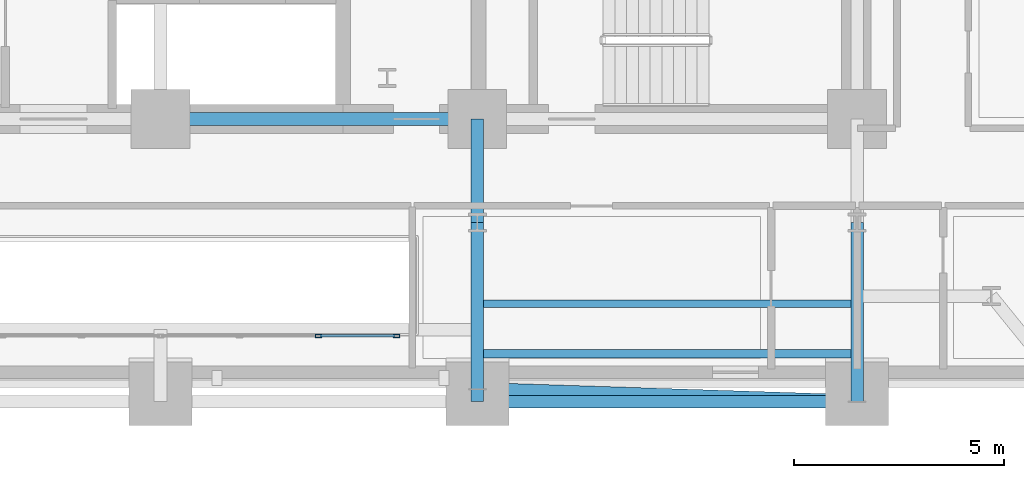
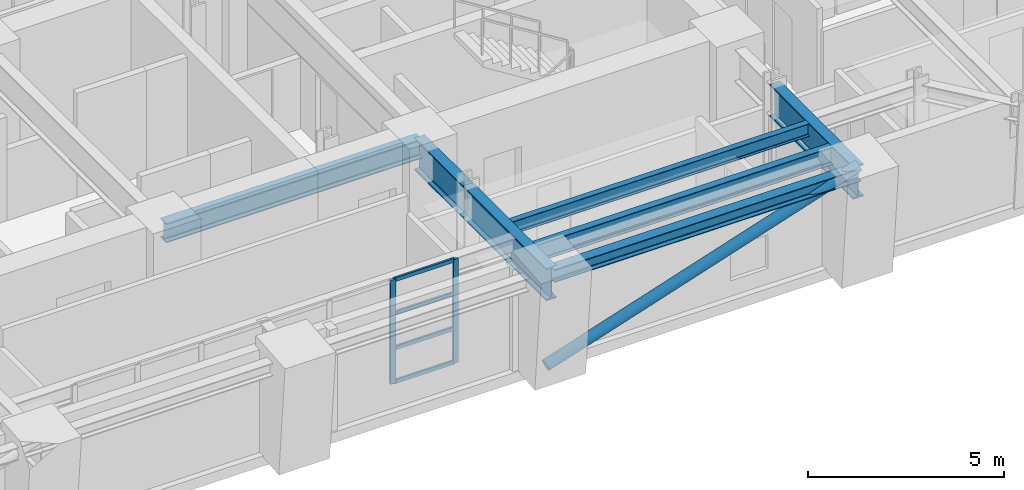
# One storey, part 5 of 16: 7 beams, 7 members, 1 element without a shape of its own.
"""IFC4 building model written with IfcOpenShell, lengths in metres."""

from ifc_helpers import new_model, si_unit, direction, frame, origin, origin_2d, place, context, subcontext, project, spatial, hollow_rectangle, hollow_circle, i_section, extrude, material, layer, layer_set, material_profile, profile_set, type_object, element, aggregate, save


model = new_model("IFC4")

# Units and contexts
model_context = context("Model", 3, precision=1e-05, world=origin(), true_north=direction((0.0, 1.0)))
body_context = subcontext(model_context, "Body", "Model", "MODEL_VIEW")
ifc_project = project(units=[si_unit("LENGTHUNIT", "METRE"), si_unit("AREAUNIT", "SQUARE_METRE"), si_unit("VOLUMEUNIT", "CUBIC_METRE"), si_unit("PLANEANGLEUNIT", "RADIAN"), si_unit("MASSUNIT", "GRAM", prefix="KILO")], contexts=[model_context])

# Site, building, storey
site_placement = place(None, origin())
site = spatial("IfcSite", under=ifc_project, at=site_placement, CompositionType="ELEMENT")
building_placement = place(site_placement, origin())
building = spatial("IfcBuilding", under=site, at=building_placement, Name="Zarnavel Station Tower", CompositionType="ELEMENT")
storey_placement = place(building_placement, frame((0.0, 0.0, 53.5)))
storey = spatial("IfcBuildingStorey", under=building, at=storey_placement, Name="L14", CompositionType="ELEMENT", Elevation=53.5)

# Curtain wall, members
ifc_material_1 = material(Name="Aluminium Dark Anodised and Solar-Control Glass", Category="aluminium")
ifc_layer = layer(ifc_material_1, 0.179931640625)
ifc_layer_set = layer_set([ifc_layer], Name="CWS2")
curtain_wall_type = type_object("IfcCurtainWallType", Name="CWS2", PredefinedType="NOTDEFINED", material=ifc_layer_set)
curtain_wall_placement = place(storey_placement, origin())
curtain_wall = element("IfcCurtainWall", 1, at=curtain_wall_placement, inside=storey, type_object=curtain_wall_type, Name="L14 Curtain Wall CWS2-L14-AS", PredefinedType="NOTDEFINED")
ifc_material_2 = material(Name="Steel S355J2 (Black Fluoropolymer Coated)", Category="steel")
ifc_material_profile_1 = material_profile(ifc_material_2, hollow_rectangle(XDim=0.074951171875, YDim=0.14990234375, WallThickness=0.00634765625, at=origin_2d()), Name="RHS150x75x6.3")
ifc_profile_set_1 = profile_set([ifc_material_profile_1], Name="Steel S355J2 (Black Fluoropolymer Coated)")
member_type_1 = type_object("IfcMemberType", Name="CWS2_MUL", PredefinedType="MULLION", material=ifc_profile_set_1)
member_1_placement = place(storey_placement, frame((32.566650390625, 22.64990234375, 0.0), z_axis=(0.0, 0.0, 1.0), x_axis=(0.0, 1.0, 0.0)))
member_1 = element("IfcMember", 2, at=member_1_placement, type_object=member_type_1, Name="CW2 mullion 6", PredefinedType="MULLION", context=body_context, shape_type="SweptSolid", body=[
    extrude(hollow_rectangle(XDim=0.074951171875, YDim=0.14990234375, WallThickness=0.00634765625, at=origin_2d()), origin(), (0.0, 0.0, 1.0), 3.239990234375),
])
member_2_placement = place(storey_placement, frame((34.419921875, 22.64990234375, 0.0), z_axis=(0.0, 0.0, 1.0), x_axis=(0.0, 1.0, 0.0)))
member_2 = element("IfcMember", 3, at=member_2_placement, type_object=member_type_1, Name="CW2 mullion 7", PredefinedType="MULLION", context=body_context, shape_type="SweptSolid", body=[
    extrude(hollow_rectangle(XDim=0.074951171875, YDim=0.14990234375, WallThickness=0.00634765625, at=origin_2d()), origin(), (0.0, 0.0, 1.0), 3.239990234375),
])
ifc_material_3 = material(Name="Steel S355J2 (Black Fluoropolymer Coated)", Category="steel")
ifc_material_profile_2 = material_profile(ifc_material_3, hollow_rectangle(XDim=0.06005859375, YDim=0.1201171875, WallThickness=0.0048828125, at=origin_2d()), Name="RHS120x60x5")
ifc_profile_set_2 = profile_set([ifc_material_profile_2], Name="Steel S355J2 (Black Fluoropolymer Coated)")
member_type_2 = type_object("IfcMemberType", Name="CWS2_TRN", PredefinedType="USERDEFINED", material=ifc_profile_set_2)
member_3_placement = place(storey_placement, frame((32.5966796875, 22.64990234375, 0.030029296875), z_axis=(1.0, 0.0, 0.0), x_axis=(0.0, 1.0, 0.0)))
member_3 = element("IfcMember", 4, at=member_3_placement, type_object=member_type_2, Name="CW2 transom 6.1", ObjectType="TRANSOM", PredefinedType="USERDEFINED", context=body_context, shape_type="SweptSolid", body=[
    extrude(hollow_rectangle(XDim=0.06005859375, YDim=0.1201171875, WallThickness=0.0048828125, at=origin_2d()), origin(), (0.0, 0.0, 1.0), 1.793212890625),
])
member_4_placement = place(storey_placement, frame((32.5966796875, 22.64990234375, 1.080078125), z_axis=(1.0, 0.0, 0.0), x_axis=(0.0, 1.0, 0.0)))
member_4 = element("IfcMember", 5, at=member_4_placement, type_object=member_type_2, Name="CW2 transom 6.2", ObjectType="TRANSOM", PredefinedType="USERDEFINED", context=body_context, shape_type="SweptSolid", body=[
    extrude(hollow_rectangle(XDim=0.06005859375, YDim=0.1201171875, WallThickness=0.0048828125, at=origin_2d()), origin(), (0.0, 0.0, 1.0), 1.793212890625),
])
member_5_placement = place(storey_placement, frame((32.5966796875, 22.64990234375, 2.159912109375), z_axis=(1.0, 0.0, 0.0), x_axis=(0.0, 1.0, 0.0)))
member_5 = element("IfcMember", 6, at=member_5_placement, type_object=member_type_2, Name="CW2 transom 6.3", ObjectType="TRANSOM", PredefinedType="USERDEFINED", context=body_context, shape_type="SweptSolid", body=[
    extrude(hollow_rectangle(XDim=0.06005859375, YDim=0.1201171875, WallThickness=0.0048828125, at=origin_2d()), origin(), (0.0, 0.0, 1.0), 1.793212890625),
])
member_6_placement = place(storey_placement, frame((32.5966796875, 22.64990234375, 3.2099609375), z_axis=(1.0, 0.0, 0.0), x_axis=(0.0, 1.0, 0.0)))
member_6 = element("IfcMember", 7, at=member_6_placement, type_object=member_type_2, Name="CW2 transom 6.4", ObjectType="TRANSOM", PredefinedType="USERDEFINED", context=body_context, shape_type="SweptSolid", body=[
    extrude(hollow_rectangle(XDim=0.06005859375, YDim=0.1201171875, WallThickness=0.0048828125, at=origin_2d()), origin(), (0.0, 0.0, 1.0), 1.793212890625),
])
aggregate(curtain_wall, [member_1, member_2, member_3, member_4, member_5, member_6])

# Member
ifc_material_4 = material(Name="Steel S355J2", Category="steel")
ifc_material_profile_3 = material_profile(ifc_material_4, hollow_circle(Radius=0.161865234375, WallThickness=0.012451171875, at=origin_2d()), Name="CHS323.9x12.5")
ifc_profile_set_3 = profile_set([ifc_material_profile_3], Name="Steel S355J2")
member_type_3 = type_object("IfcMemberType", Name="DB_EXT_CHS324", PredefinedType="BRACE", material=ifc_profile_set_3)
member_7_placement = place(storey_placement, frame((36.35009765625, 21.3798828125, 0.0), z_axis=(0.94104157458, -0.030540439576, 0.336909537505), x_axis=(0.032436790978, 0.999473788846, 0.0)))
element("IfcMember", 8, at=member_7_placement, inside=storey, type_object=member_type_3, Name="L14 Persian Exterior Diagonal Frame Brace 2", PredefinedType="BRACE", context=body_context, shape_type="SweptSolid", body=[
    extrude(hollow_circle(Radius=0.161865234375, WallThickness=0.012451171875, at=origin_2d()), origin(), (0.0, 0.0, 1.0), 9.61669921875),
])

# Beams
ifc_material_5 = material(Name="Steel S355J2", Category="steel")
ifc_material_profile_4 = material_profile(ifc_material_5, i_section(OverallWidth=0.300048828125, OverallDepth=0.39990234375, WebThickness=0.013427734375, FlangeThickness=0.02392578125, FilletRadius=0.027099609375, at=origin_2d()), Name="HEB400")
ifc_profile_set_4 = profile_set([ifc_material_profile_4], Name="Steel S355J2")
beam_type_1 = type_object("IfcBeamType", Name="EB_HEB400", PredefinedType="SPANDREL", material=ifc_profile_set_4)
beam_1_placement = place(storey_placement, frame((36.35009765625, 21.086181640625, 3.0400390625), z_axis=(1.0, 0.0, 0.0), x_axis=(0.0, 1.0, 0.0)))
element("IfcBeam", 9, at=beam_1_placement, inside=storey, type_object=beam_type_1, Name="L14 South Raked Spandrel 4", PredefinedType="SPANDREL", context=body_context, shape_type="SweptSolid", body=[
    extrude(i_section(OverallWidth=0.300048828125, OverallDepth=0.39990234375, WebThickness=0.013427734375, FlangeThickness=0.02392578125, FilletRadius=0.027099609375, at=origin_2d()), origin(), (0.0, 0.0, 1.0), 9.0498046875),
])
ifc_material_6 = material(Name="Steel S355J2", Category="steel")
ifc_material_profile_5 = material_profile(ifc_material_6, i_section(OverallWidth=0.179931640625, OverallDepth=0.39990234375, WebThickness=0.008544921875, FlangeThickness=0.013427734375, FilletRadius=0.02099609375, at=origin_2d()), Name="IPE400")
ifc_profile_set_5 = profile_set([ifc_material_profile_5], Name="Steel S355J2")
beam_type_2 = type_object("IfcBeamType", Name="FB_IPE400", PredefinedType="BEAM", material=ifc_profile_set_5)
beam_2_placement = place(storey_placement, frame((36.4951171875, 23.412109375, 3.0400390625), z_axis=(1.0, 0.0, 0.0), x_axis=(0.0, 1.0, 0.0)))
element("IfcBeam", 10, at=beam_2_placement, inside=storey, type_object=beam_type_2, Name="L14 East Bay Beam 2", PredefinedType="BEAM", context=body_context, shape_type="SweptSolid", body=[
    extrude(i_section(OverallWidth=0.179931640625, OverallDepth=0.39990234375, WebThickness=0.008544921875, FlangeThickness=0.013427734375, FilletRadius=0.02099609375, at=origin_2d()), origin(), (0.0, 0.0, 1.0), 8.759765625),
])
ifc_material_7 = material(Name="Steel S355J2", Category="steel")
ifc_material_profile_6 = material_profile(ifc_material_7, i_section(OverallWidth=0.2099609375, OverallDepth=0.550048828125, WebThickness=0.010986328125, FlangeThickness=0.01708984375, FilletRadius=0.02392578125, at=origin_2d()), Name="IPE550")
ifc_profile_set_6 = profile_set([ifc_material_profile_6], Name="Steel S355J2")
beam_type_3 = type_object("IfcBeamType", Name="FB_IPE550", PredefinedType="BEAM", material=ifc_profile_set_6)
beam_3_placement = place(storey_placement, frame((36.4951171875, 22.22412109375, 2.965087890625), z_axis=(1.0, 0.0, 0.0), x_axis=(0.0, 1.0, 0.0)))
element("IfcBeam", 11, at=beam_3_placement, inside=storey, type_object=beam_type_3, Name="L14 East Bay Beam 1", PredefinedType="BEAM", context=body_context, shape_type="SweptSolid", body=[
    extrude(i_section(OverallWidth=0.2099609375, OverallDepth=0.550048828125, WebThickness=0.010986328125, FlangeThickness=0.01708984375, FilletRadius=0.02392578125, at=origin_2d()), origin(), (0.0, 0.0, 1.0), 8.759765625),
])
ifc_material_8 = material(Name="Steel S355J2", Category="steel")
ifc_material_profile_7 = material_profile(ifc_material_8, i_section(OverallWidth=0.300048828125, OverallDepth=0.60009765625, WebThickness=0.015380859375, FlangeThickness=0.030029296875, FilletRadius=0.027099609375, at=origin_2d()), Name="HEB600")
ifc_profile_set_7 = profile_set([ifc_material_profile_7], Name="Steel S355J2")
beam_type_4 = type_object("IfcBeamType", Name="FG_HEB600", PredefinedType="USERDEFINED", material=ifc_profile_set_7)
beam_4_placement = place(storey_placement, frame((28.800048828125, 27.820068359375, 2.93994140625), z_axis=(1.0, 0.0, 0.0), x_axis=(0.0, 1.0, 0.0)))
element("IfcBeam", 12, at=beam_4_placement, inside=storey, type_object=beam_type_4, Name="L14 Core Front Coupling Beam 3", ObjectType="GIRDER", PredefinedType="USERDEFINED", context=body_context, shape_type="SweptSolid", body=[
    extrude(i_section(OverallWidth=0.300048828125, OverallDepth=0.60009765625, WebThickness=0.015380859375, FlangeThickness=0.030029296875, FilletRadius=0.027099609375, at=origin_2d()), origin(), (0.0, 0.0, 1.0), 7.550048828125),
])
ifc_material_9 = material(Name="Steel S460M", Category="steel")
ifc_material_profile_8 = material_profile(ifc_material_9, i_section(OverallWidth=0.302001953125, OverallDepth=1.008056640625, WebThickness=0.02099609375, FlangeThickness=0.0400390625, FilletRadius=0.030029296875, at=origin_2d()), Name="HEM1000")
ifc_profile_set_8 = profile_set([ifc_material_profile_8], Name="Steel S460M")
beam_type_5 = type_object("IfcBeamType", Name="TG_HEM1000", PredefinedType="USERDEFINED", material=ifc_profile_set_8)
beam_5_placement = place(storey_placement, frame((36.35009765625, 21.086181640625, 2.736083984375), z_axis=(0.0, 1.0, 0.0), x_axis=(-1.0, 0.0, 0.0)))
element("IfcBeam", 13, at=beam_5_placement, inside=storey, type_object=beam_type_5, Name="L14 South-Zone NS Girder 4", ObjectType="GIRDER", PredefinedType="USERDEFINED", context=body_context, shape_type="SweptSolid", body=[
    extrude(i_section(OverallWidth=0.302001953125, OverallDepth=1.008056640625, WebThickness=0.02099609375, FlangeThickness=0.0400390625, FilletRadius=0.030029296875, at=origin_2d()), origin(), (0.0, 0.0, 1.0), 4.263916015625),
])
beam_6_placement = place(storey_placement, frame((36.35009765625, 25.35009765625, 2.736083984375), z_axis=(0.0, 1.0, 0.0), x_axis=(-1.0, 0.0, 0.0)))
element("IfcBeam", 14, at=beam_6_placement, inside=storey, type_object=beam_type_5, Name="L14 Inner-Zone NS Girder 4", ObjectType="GIRDER", PredefinedType="USERDEFINED", context=body_context, shape_type="SweptSolid", body=[
    extrude(i_section(OverallWidth=0.302001953125, OverallDepth=1.008056640625, WebThickness=0.02099609375, FlangeThickness=0.0400390625, FilletRadius=0.030029296875, at=origin_2d()), origin(), (0.0, 0.0, 1.0), 2.469970703125),
])
beam_7_placement = place(storey_placement, frame((45.39990234375, 21.086181640625, 2.736083984375), z_axis=(0.0, 1.0, 0.0), x_axis=(-1.0, 0.0, 0.0)))
element("IfcBeam", 15, at=beam_7_placement, inside=storey, type_object=beam_type_5, Name="L14 South-Zone NS Girder 5", ObjectType="GIRDER", PredefinedType="USERDEFINED", context=body_context, shape_type="SweptSolid", body=[
    extrude(i_section(OverallWidth=0.302001953125, OverallDepth=1.008056640625, WebThickness=0.02099609375, FlangeThickness=0.0400390625, FilletRadius=0.030029296875, at=origin_2d()), origin(), (0.0, 0.0, 1.0), 4.263916015625),
])

save(model, "model.ifc")
